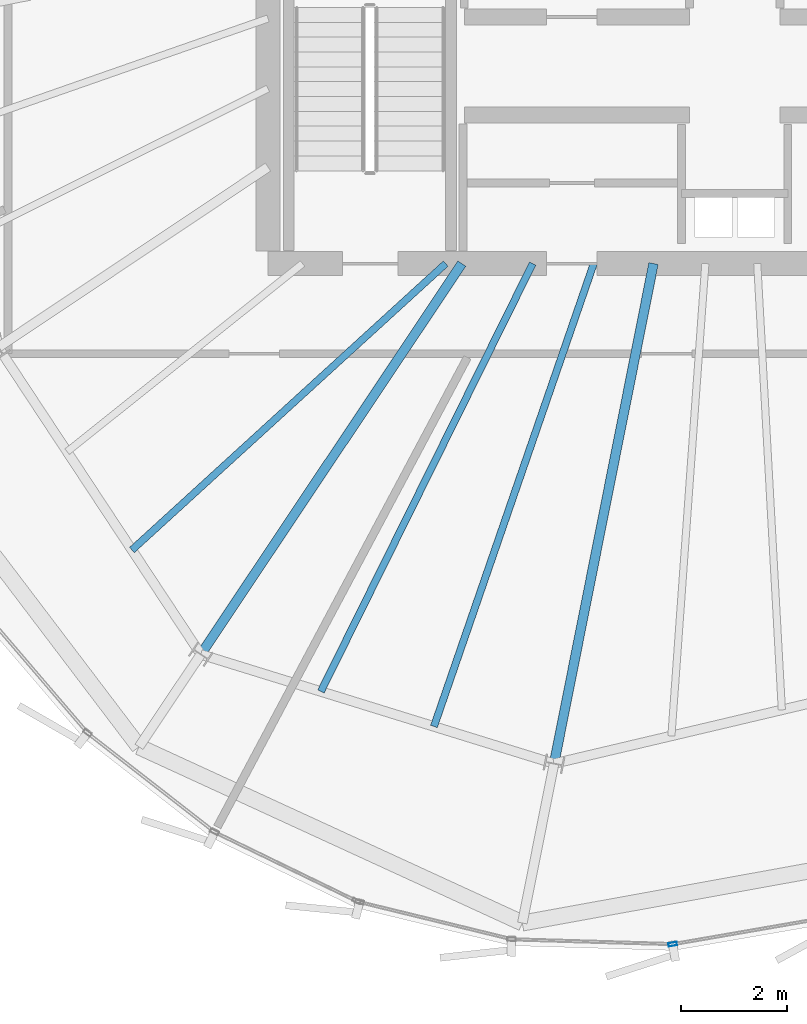
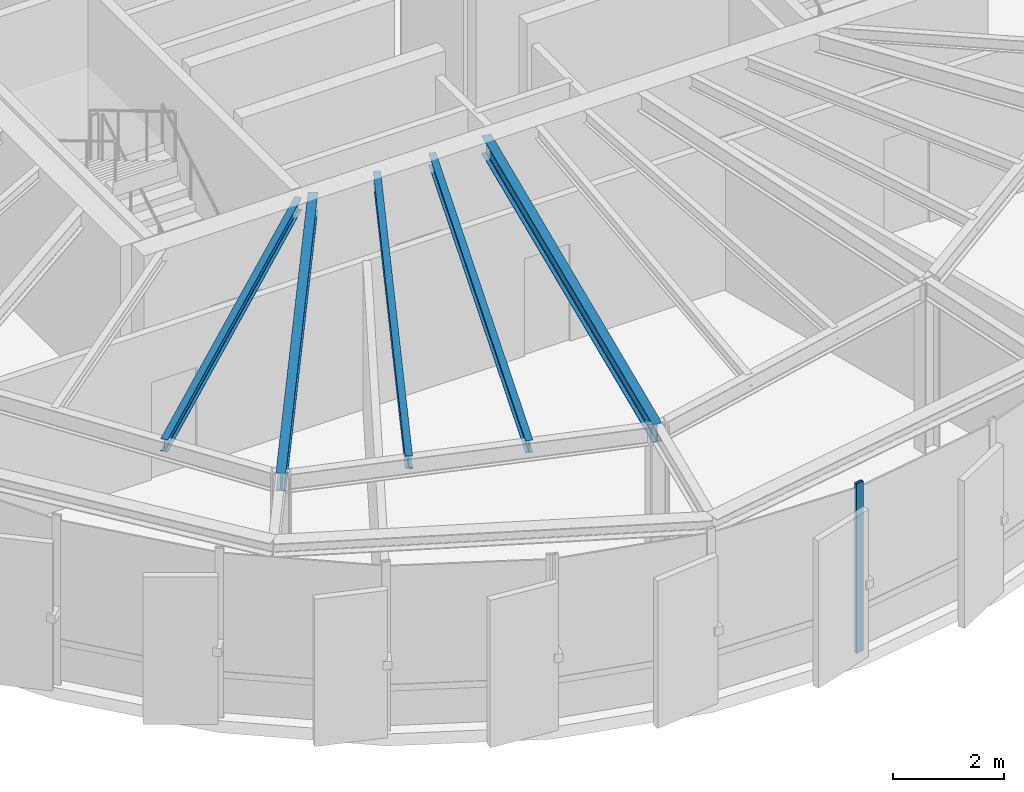
# One storey, part 5 of 26: 5 beams, 1 member, 1 element without a shape of its own.
"""IFC4 building model written with IfcOpenShell, lengths in metres."""

from ifc_helpers import new_model, si_unit, direction, frame, origin, origin_2d, place, context, subcontext, project, spatial, hollow_rectangle, i_section, extrude, source, transform, mapped, material, layer, layer_set, material_profile, profile_set, type_object, element, aggregate, save


model = new_model("IFC4")

# Units and contexts
model_context = context("Model", 3, precision=1e-05, world=origin(), true_north=direction((0.0, 1.0)))
body_context = subcontext(model_context, "Body", "Model", "MODEL_VIEW")
ifc_project = project(units=[si_unit("LENGTHUNIT", "METRE"), si_unit("AREAUNIT", "SQUARE_METRE"), si_unit("VOLUMEUNIT", "CUBIC_METRE"), si_unit("PLANEANGLEUNIT", "RADIAN"), si_unit("MASSUNIT", "GRAM", prefix="KILO"), si_unit("THERMODYNAMICTEMPERATUREUNIT", "KELVIN")], contexts=[model_context])

# Site, building, storey
site_placement = place(None, origin())
site = spatial("IfcSite", under=ifc_project, at=site_placement, CompositionType="ELEMENT")
building_placement = place(site_placement, origin())
building = spatial("IfcBuilding", under=site, at=building_placement, Name="Kethvar Cultural Tower", CompositionType="ELEMENT")
storey_placement = place(building_placement, frame((0.0, 0.0, 316.300048828125)))
storey = spatial("IfcBuildingStorey", under=building, at=storey_placement, Name="L84", CompositionType="ELEMENT", Elevation=316.300048828125)

# Beams
ifc_material_1 = material(Name="Steel S355J2", Category="steel")
ifc_material_profile_1 = material_profile(ifc_material_1, i_section(OverallWidth=0.135009765625, OverallDepth=0.27001953125, WebThickness=0.006591796875, FlangeThickness=0.01025390625, FilletRadius=0.014892578125, at=origin_2d()), Name="Steel S355J2 — IPE270")
ifc_profile_set_1 = profile_set([ifc_material_profile_1], Name="Steel S355J2 — IPE270")
beam_type_1 = type_object("IfcBeamType", Name="BM-J270", PredefinedType="JOIST", material=ifc_profile_set_1)
shared_shape_1 = source(origin(), body_context, "Body", "SweptSolid", [
    extrude(i_section(OverallWidth=0.135009765625, OverallDepth=0.27001953125, WebThickness=0.006591796875, FlangeThickness=0.01025390625, FilletRadius=0.014892578125, at=origin_2d()), origin(), (0.0, 0.0, 1.0), 8.010986328125),
])
beam_1_placement = place(storey_placement, frame((41.35009765625, 20.10009765625, 3.597900390625), z_axis=(-0.738614798856, -0.674127717061, 0.0), x_axis=(0.674127717061, -0.738614798856, 0.0)))
element("IfcBeam", 1, at=beam_1_placement, inside=storey, type_object=beam_type_1, Name="L84 Composite Floor Joist J-10B", PredefinedType="JOIST", context=body_context, shape_type="MappedRepresentation", body=[
    mapped(shared_shape_1, transform((0.0, 0.0, 0.0), scale=1.0)),
])
shared_shape_2 = source(origin(), body_context, "Body", "SweptSolid", [
    extrude(i_section(OverallWidth=0.135009765625, OverallDepth=0.27001953125, WebThickness=0.006591796875, FlangeThickness=0.01025390625, FilletRadius=0.014892578125, at=origin_2d()), origin(), (0.0, 0.0, 1.0), 9.00341796875),
])
beam_2_placement = place(storey_placement, frame((42.989501953125, 20.10009765625, 3.597900390625), z_axis=(-0.443543695319, -0.896252749141, 0.0), x_axis=(0.896252749141, -0.443543695319, 0.0)))
element("IfcBeam", 2, at=beam_2_placement, inside=storey, type_object=beam_type_1, Name="L84 Composite Floor Joist J-11A", PredefinedType="JOIST", context=body_context, shape_type="MappedRepresentation", body=[
    mapped(shared_shape_2, transform((0.0, 0.0, 0.0), scale=1.0)),
])
shared_shape_3 = source(origin(), body_context, "Body", "SweptSolid", [
    extrude(i_section(OverallWidth=0.135009765625, OverallDepth=0.27001953125, WebThickness=0.006591796875, FlangeThickness=0.01025390625, FilletRadius=0.014892578125, at=origin_2d()), origin(), (0.0, 0.0, 1.0), 9.234130859375),
])
beam_3_placement = place(storey_placement, frame((44.1416015625, 20.10009765625, 3.597900390625), z_axis=(-0.326362208058, -0.945244787953, 0.0), x_axis=(0.945244787953, -0.326362208058, 0.0)))
element("IfcBeam", 3, at=beam_3_placement, inside=storey, type_object=beam_type_1, Name="L84 Composite Floor Joist J-11B", PredefinedType="JOIST", context=body_context, shape_type="MappedRepresentation", body=[
    mapped(shared_shape_3, transform((0.0, 0.0, 0.0), scale=1.0)),
])
ifc_material_profile_2 = material_profile(ifc_material_1, i_section(OverallWidth=0.179931640625, OverallDepth=0.39990234375, WebThickness=0.008544921875, FlangeThickness=0.013427734375, FilletRadius=0.02099609375, at=origin_2d()), Name="Steel S355J2 — IPE400")
ifc_profile_set_2 = profile_set([ifc_material_profile_2], Name="Steel S355J2 — IPE400")
beam_type_2 = type_object("IfcBeamType", Name="BM-IPE400", PredefinedType="BEAM", material=ifc_profile_set_2)
shared_shape_4 = source(origin(), body_context, "Body", "SweptSolid", [
    extrude(i_section(OverallWidth=0.179931640625, OverallDepth=0.39990234375, WebThickness=0.008544921875, FlangeThickness=0.013427734375, FilletRadius=0.02099609375, at=origin_2d()), origin(), (0.0, 0.0, 1.0), 8.86279296875),
])
beam_4_placement = place(storey_placement, frame((41.655029296875, 20.10009765625, 3.532958984375), z_axis=(-0.555564443415, -0.831473480764, 0.0), x_axis=(0.831473480764, -0.555564443415, 0.0)))
element("IfcBeam", 4, at=beam_4_placement, inside=storey, type_object=beam_type_2, Name="L84 Primary Radial Beam RB-11", PredefinedType="BEAM", context=body_context, shape_type="MappedRepresentation", body=[
    mapped(shared_shape_4, transform((0.0, 0.0, 0.0), scale=1.0)),
])
shared_shape_5 = source(origin(), body_context, "Body", "SweptSolid", [
    extrude(i_section(OverallWidth=0.179931640625, OverallDepth=0.39990234375, WebThickness=0.008544921875, FlangeThickness=0.013427734375, FilletRadius=0.02099609375, at=origin_2d()), origin(), (0.0, 0.0, 1.0), 9.613525390625),
])
beam_5_placement = place(storey_placement, frame((45.268310546875, 20.10009765625, 3.532958984375), z_axis=(-0.195090428816, -0.980785259159, 0.0), x_axis=(0.980785259159, -0.195090428816, 0.0)))
element("IfcBeam", 5, at=beam_5_placement, inside=storey, type_object=beam_type_2, Name="L84 Primary Radial Beam RB-12", PredefinedType="BEAM", context=body_context, shape_type="MappedRepresentation", body=[
    mapped(shared_shape_5, transform((0.0, 0.0, 0.0), scale=1.0)),
])

# Curtain wall, member
ifc_material_2 = material(Name="Aluminium 6063-T6", Category="aluminium")
ifc_layer = layer(ifc_material_2, 0.179931640625, Name="Aluminium 6063-T6", Category="aluminium")
ifc_layer_set = layer_set([ifc_layer], Name="Aluminium 6063-T6 (180 mm)")
curtain_wall_type = type_object("IfcCurtainWallType", Name="CW-SYS-06-CROWN", PredefinedType="NOTDEFINED", material=ifc_layer_set)
curtain_wall_placement = place(storey_placement, origin())
curtain_wall = element("IfcCurtainWall", 6, at=curtain_wall_placement, inside=storey, type_object=curtain_wall_type, Name="L84 Curtain Wall Run 04", PredefinedType="NOTDEFINED")
ifc_material_profile_3 = material_profile(ifc_material_2, hollow_rectangle(XDim=0.06494140625, YDim=0.159912109375, WallThickness=0.0048828125, at=origin_2d()), Name="Aluminium 6063-T6 — RHS160x65x5")
ifc_profile_set_3 = profile_set([ifc_material_profile_3], Name="Aluminium 6063-T6 — RHS160x65x5")
member_type = type_object("IfcMemberType", Name="CW-SYS-06-CROWN-MUL", PredefinedType="MULLION", material=ifc_profile_set_3)
shared_shape_6 = source(origin(), body_context, "Body", "SweptSolid", [
    extrude(hollow_rectangle(XDim=0.06494140625, YDim=0.159912109375, WallThickness=0.0048828125, at=origin_2d()), origin(), (0.0, 0.0, 1.0), 3.73486328125),
])
member_placement = place(storey_placement, frame((45.6298828125, 7.26513671875, 0.0), z_axis=(0.0, 0.0, 1.0), x_axis=(-0.170742631208, 0.985315662054, 0.0)))
member = element("IfcMember", 7, at=member_placement, type_object=member_type, Name="CW-L84-R04 Mullion 3", PredefinedType="MULLION", context=body_context, shape_type="MappedRepresentation", body=[
    mapped(shared_shape_6, transform((0.0, 0.0, 0.0), scale=1.0)),
])
aggregate(curtain_wall, [member])

save(model, "model.ifc")
